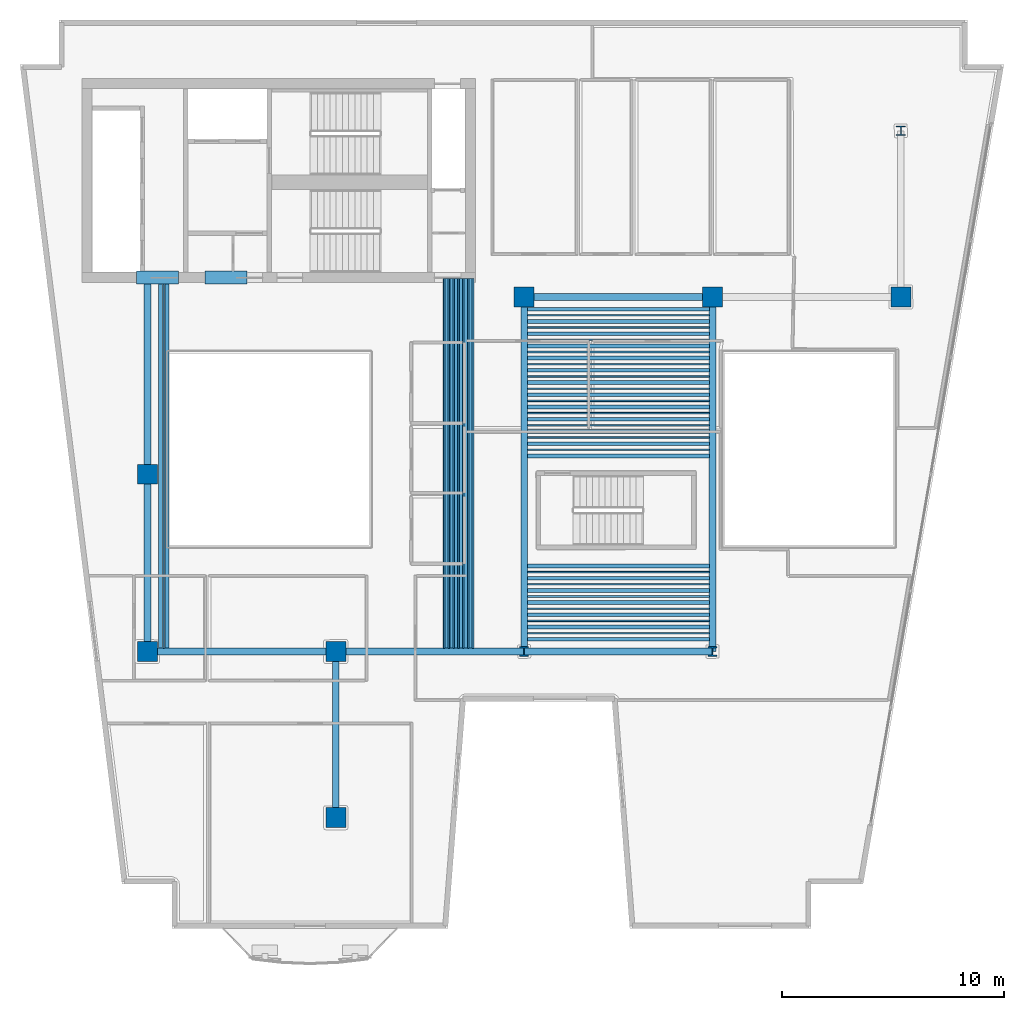
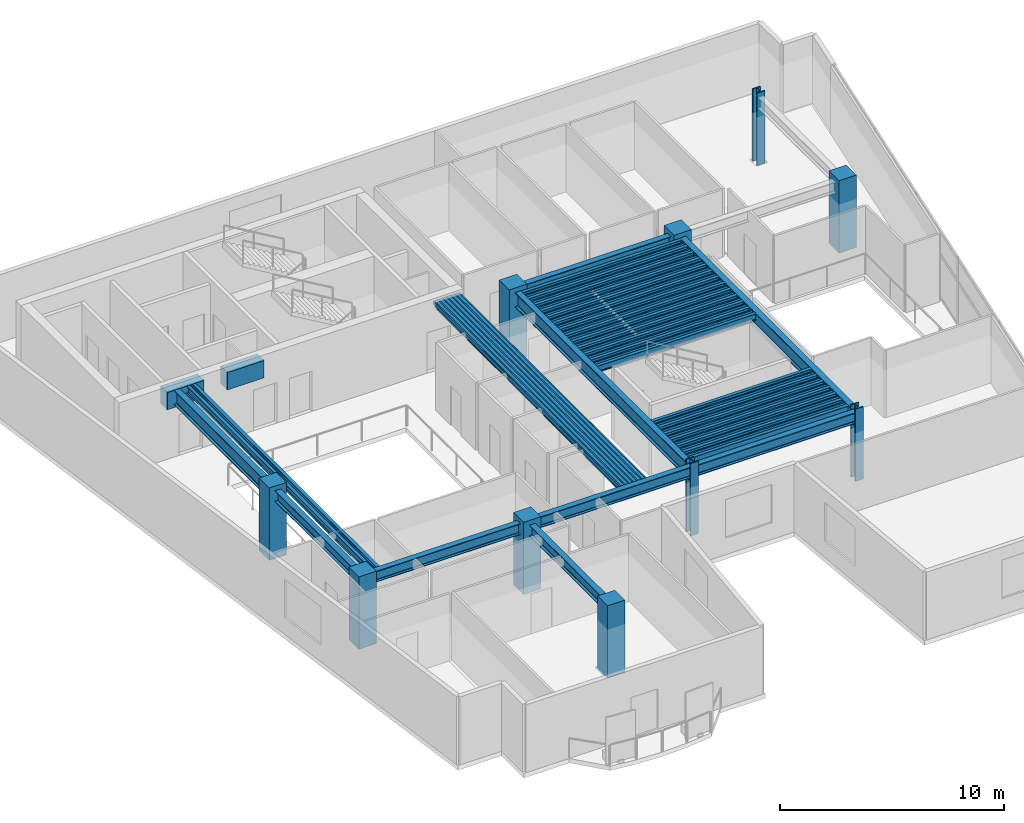
# One storey, part 1 of 9: 65 beams, 10 columns.
"""IFC4 building model written with IfcOpenShell, lengths in metres."""

from ifc_helpers import new_model, si_unit, direction, frame, origin, origin_2d, place, context, subcontext, project, spatial, rectangle, hollow_rectangle, i_section, extrude, material, material_profile, profile_set, type_object, element, save


model = new_model("IFC4")

# Units and contexts
model_context = context("Model", 3, precision=1e-05, world=origin(), true_north=direction((0.0, 1.0)))
body_context = subcontext(model_context, "Body", "Model", "MODEL_VIEW")
ifc_project = project(units=[si_unit("LENGTHUNIT", "METRE"), si_unit("AREAUNIT", "SQUARE_METRE"), si_unit("VOLUMEUNIT", "CUBIC_METRE"), si_unit("PLANEANGLEUNIT", "RADIAN"), si_unit("MASSUNIT", "GRAM", prefix="KILO")], contexts=[model_context])

# Site, building, storey
site_placement = place(None, origin())
site = spatial("IfcSite", under=ifc_project, at=site_placement, CompositionType="ELEMENT")
building_placement = place(site_placement, origin())
building = spatial("IfcBuilding", under=site, at=building_placement, Name="Caeloran Harvest Quay", CompositionType="ELEMENT")
storey_placement = place(building_placement, frame((0.0, 0.0, 207.449951171875)))
storey = spatial("IfcBuildingStorey", under=building, at=storey_placement, Name="L49", CompositionType="ELEMENT", Elevation=207.449951171875)

# Columns
ifc_material_1 = material(Name="Concrete C60/75", Category="concrete")
ifc_material_profile_1 = material_profile(ifc_material_1, rectangle(XDim=0.89990234375, YDim=0.89990234375, at=origin_2d()), Name="RC 900x900")
ifc_profile_set_1 = profile_set([ifc_material_profile_1], Name="Concrete C60/75")
column_type_1 = type_object("IfcColumnType", Name="COL-MC-4-RC_900x900", PredefinedType="COLUMN", material=ifc_profile_set_1)
for number, where, z_axis, x_axis, name in (
    (1, (8.5, 15.0, 0.0), (0.0, 0.0, 1.0), (1.0, 0.0, 0.0), "L49 Structural Column (8.5, 15.0)"),
    (2, (8.5, 23.0, 0.0), (0.0, 0.0, 1.0), (1.0, 0.0, 0.0), "L49 Structural Column (8.5, 23.0)"),
    (3, (17.0, 7.5, 0.0), (0.0, 0.0, 1.0), (1.0, 0.0, 0.0), "L49 Structural Column (17.0, 7.5)"),
    (4, (17.0, 15.0, 0.0), (0.0, 0.0, 1.0), (1.0, 0.0, 0.0), "L49 Structural Column (17.0, 15.0)"),
    (5, (25.5, 31.0, 0.0), (0.0, 0.0, 1.0), (1.0, 0.0, 0.0), "L49 Structural Column (25.5, 31.0)"),
    (6, (34.0, 31.0, 0.0), (0.0, 0.0, 1.0), (1.0, 0.0, 0.0), "L49 Structural Column (34.0, 31.0)"),
    (7, (42.5, 31.0, 0.0), (0.0, 0.0, 1.0), (1.0, 0.0, 0.0), "L49 Structural Column (42.5, 31.0)"),
):
    element("IfcColumn", number, at=place(storey_placement, frame(where, z_axis=z_axis, x_axis=x_axis)), inside=storey, type_object=column_type_1, Name=name, PredefinedType="COLUMN", context=body_context, shape_type="SweptSolid", body=[
        extrude(rectangle(XDim=0.89990234375, YDim=0.89990234375, at=origin_2d()), origin(), (0.0, 0.0, 1.0), 3.949951171875),
    ])
ifc_material_2 = material(Name="Steel HISTAR 460", Category="steel")
ifc_material_profile_2 = material_profile(ifc_material_2, i_section(OverallWidth=0.416015625, OverallDepth=0.446044921875, WebThickness=0.0390625, FlangeThickness=0.062744140625, FilletRadius=0.014892578125, at=origin_2d()), Name="HD 400x509")
ifc_profile_set_2 = profile_set([ifc_material_profile_2], Name="Steel HISTAR 460")
column_type_2 = type_object("IfcColumnType", Name="COL-SC-4-HD_400x509", PredefinedType="COLUMN", material=ifc_profile_set_2)
for number, where, z_axis, x_axis, name in (
    (8, (25.5, 15.0, 0.0), (0.0, 0.0, 1.0), (1.0, 0.0, 0.0), "L49 Structural Column (25.5, 15.0)"),
    (9, (34.0, 15.0, 0.0), (0.0, 0.0, 1.0), (1.0, 0.0, 0.0), "L49 Structural Column (34.0, 15.0)"),
    (10, (42.5, 38.5, 0.0), (0.0, 0.0, 1.0), (1.0, 0.0, 0.0), "L49 Structural Column (42.5, 38.5)"),
):
    element("IfcColumn", number, at=place(storey_placement, frame(where, z_axis=z_axis, x_axis=x_axis)), inside=storey, type_object=column_type_2, Name=name, PredefinedType="COLUMN", context=body_context, shape_type="SweptSolid", body=[
        extrude(i_section(OverallWidth=0.416015625, OverallDepth=0.446044921875, WebThickness=0.0390625, FlangeThickness=0.062744140625, FilletRadius=0.014892578125, at=origin_2d()), origin(), (0.0, 0.0, 1.0), 3.949951171875),
    ])

# Beams
ifc_material_profile_3 = material_profile(ifc_material_1, rectangle(XDim=0.60009765625, YDim=0.949951171875, at=origin_2d()), Name="RC 600x950")
ifc_profile_set_3 = profile_set([ifc_material_profile_3], Name="Concrete C60/75")
beam_type_1 = type_object("IfcBeamType", Name="BM-CB-2-RC_600x950", PredefinedType="LINTEL", material=ifc_profile_set_3)
for number, where, z_axis, x_axis, name in (
    (11, (8.0, 31.875, 3.22509765625), (1.0, 0.0, 0.0), (0.0, 1.0, 0.0), "L49 Core Coupling Beam 1"),
    (12, (11.10009765625, 31.875, 3.22509765625), (1.0, 0.0, 0.0), (0.0, 1.0, 0.0), "L49 Core Coupling Beam 2"),
):
    element("IfcBeam", number, at=place(storey_placement, frame(where, z_axis=z_axis, x_axis=x_axis)), inside=storey, type_object=beam_type_1, Name=name, PredefinedType="LINTEL", context=body_context, shape_type="SweptSolid", body=[
        extrude(rectangle(XDim=0.60009765625, YDim=0.949951171875, at=origin_2d()), origin(), (0.0, 0.0, 1.0), 1.89990234375),
    ])
ifc_material_3 = material(Name="Steel S355J2", Category="steel")
ifc_material_profile_4 = material_profile(ifc_material_3, i_section(OverallWidth=0.300048828125, OverallDepth=0.800048828125, WebThickness=0.017578125, FlangeThickness=0.032958984375, FilletRadius=0.030029296875, at=origin_2d()), Name="HE 800 B")
ifc_profile_set_4 = profile_set([ifc_material_profile_4], Name="Steel S355J2")
beam_type_2 = type_object("IfcBeamType", Name="BM-PG-1-HE_800_B", PredefinedType="BEAM", material=ifc_profile_set_4)
beam_1_placement = place(storey_placement, frame((8.5, 23.0, 3.300048828125), z_axis=(0.0, 1.0, 0.0), x_axis=(-1.0, 0.0, 0.0)))
element("IfcBeam", 13, at=beam_1_placement, inside=storey, type_object=beam_type_2, Name="L49 Core South Tie Girder X=8.5", PredefinedType="BEAM", context=body_context, shape_type="SweptSolid", body=[
    extrude(i_section(OverallWidth=0.300048828125, OverallDepth=0.800048828125, WebThickness=0.017578125, FlangeThickness=0.032958984375, FilletRadius=0.030029296875, at=origin_2d()), origin(), (0.0, 0.0, 1.0), 8.824951171875),
])
for number, where, z_axis, x_axis, name in (
    (14, (25.5, 15.0, 3.300048828125), (0.0, 1.0, 0.0), (-1.0, 0.0, 0.0), "L49 Primary North-South Girder X=25.5"),
    (15, (34.0, 15.0, 3.300048828125), (0.0, 1.0, 0.0), (-1.0, 0.0, 0.0), "L49 Primary North-South Girder X=34.0"),
):
    element("IfcBeam", number, at=place(storey_placement, frame(where, z_axis=z_axis, x_axis=x_axis)), inside=storey, type_object=beam_type_2, Name=name, PredefinedType="BEAM", context=body_context, shape_type="SweptSolid", body=[
        extrude(i_section(OverallWidth=0.300048828125, OverallDepth=0.800048828125, WebThickness=0.017578125, FlangeThickness=0.032958984375, FilletRadius=0.030029296875, at=origin_2d()), origin(), (0.0, 0.0, 1.0), 16.0),
    ])
ifc_material_profile_5 = material_profile(ifc_material_3, i_section(OverallWidth=0.300048828125, OverallDepth=0.60009765625, WebThickness=0.015380859375, FlangeThickness=0.030029296875, FilletRadius=0.027099609375, at=origin_2d()), Name="HE 600 B")
ifc_profile_set_5 = profile_set([ifc_material_profile_5], Name="Steel S355J2")
beam_type_3 = type_object("IfcBeamType", Name="BM-PG-3-HE_600_B", PredefinedType="BEAM", material=ifc_profile_set_5)
for number, where, z_axis, x_axis, name in (
    (16, (8.5, 15.0, 3.400146484375), (1.0, 0.0, 0.0), (0.0, 1.0, 0.0), "L49 Primary East-West Girder Y=15.0"),
    (17, (17.0, 15.0, 3.400146484375), (1.0, 0.0, 0.0), (0.0, 1.0, 0.0), "L49 Primary East-West Girder Y=15.0"),
    (18, (25.5, 15.0, 3.400146484375), (1.0, 0.0, 0.0), (0.0, 1.0, 0.0), "L49 Primary East-West Girder Y=15.0"),
    (19, (25.5, 31.0, 3.400146484375), (1.0, 0.0, 0.0), (0.0, 1.0, 0.0), "L49 Primary East-West Girder Y=31.0"),
):
    element("IfcBeam", number, at=place(storey_placement, frame(where, z_axis=z_axis, x_axis=x_axis)), inside=storey, type_object=beam_type_3, Name=name, PredefinedType="BEAM", context=body_context, shape_type="SweptSolid", body=[
        extrude(i_section(OverallWidth=0.300048828125, OverallDepth=0.60009765625, WebThickness=0.015380859375, FlangeThickness=0.030029296875, FilletRadius=0.027099609375, at=origin_2d()), origin(), (0.0, 0.0, 1.0), 8.5),
    ])
beam_2_placement = place(storey_placement, frame((8.5, 15.0, 3.400146484375), z_axis=(0.0, 1.0, 0.0), x_axis=(-1.0, 0.0, 0.0)))
element("IfcBeam", 20, at=beam_2_placement, inside=storey, type_object=beam_type_3, Name="L49 Primary North-South Girder X=8.5", PredefinedType="BEAM", context=body_context, shape_type="SweptSolid", body=[
    extrude(i_section(OverallWidth=0.300048828125, OverallDepth=0.60009765625, WebThickness=0.015380859375, FlangeThickness=0.030029296875, FilletRadius=0.027099609375, at=origin_2d()), origin(), (0.0, 0.0, 1.0), 8.0),
])
beam_3_placement = place(storey_placement, frame((17.0, 7.5, 3.400146484375), z_axis=(0.0, 1.0, 0.0), x_axis=(-1.0, 0.0, 0.0)))
element("IfcBeam", 21, at=beam_3_placement, inside=storey, type_object=beam_type_3, Name="L49 Primary North-South Girder X=17.0", PredefinedType="BEAM", context=body_context, shape_type="SweptSolid", body=[
    extrude(i_section(OverallWidth=0.300048828125, OverallDepth=0.60009765625, WebThickness=0.015380859375, FlangeThickness=0.030029296875, FilletRadius=0.027099609375, at=origin_2d()), origin(), (0.0, 0.0, 1.0), 7.5),
])
ifc_material_profile_6 = material_profile(ifc_material_3, i_section(OverallWidth=0.169921875, OverallDepth=0.360107421875, WebThickness=0.008056640625, FlangeThickness=0.0126953125, FilletRadius=0.01806640625, at=origin_2d()), Name="IPE 360")
ifc_profile_set_6 = profile_set([ifc_material_profile_6], Name="Steel S355J2")
beam_type_4 = type_object("IfcBeamType", Name="BM-SB-5-IPE_360", PredefinedType="JOIST", material=ifc_profile_set_6)
for number, where, z_axis, x_axis, name in (
    (22, (9.086181640625, 15.14501953125, 3.52001953125), (0.0, 1.0, 0.0), (-1.0, 0.0, 0.0), "L49 Secondary Composite Joist"),
    (23, (9.37939453125, 15.14501953125, 3.52001953125), (0.0, 1.0, 0.0), (-1.0, 0.0, 0.0), "L49 Secondary Composite Joist"),
    (24, (21.99658203125, 15.14501953125, 3.52001953125), (0.0, 1.0, 0.0), (-1.0, 0.0, 0.0), "L49 Secondary Composite Joist"),
    (25, (22.2138671875, 15.14501953125, 3.52001953125), (0.0, 1.0, 0.0), (-1.0, 0.0, 0.0), "L49 Secondary Composite Joist"),
    (26, (22.430908203125, 15.14501953125, 3.52001953125), (0.0, 1.0, 0.0), (-1.0, 0.0, 0.0), "L49 Secondary Composite Joist"),
    (27, (22.648193359375, 15.14501953125, 3.52001953125), (0.0, 1.0, 0.0), (-1.0, 0.0, 0.0), "L49 Secondary Composite Joist"),
    (28, (22.865478515625, 15.14501953125, 3.52001953125), (0.0, 1.0, 0.0), (-1.0, 0.0, 0.0), "L49 Secondary Composite Joist"),
    (29, (23.082763671875, 15.14501953125, 3.52001953125), (0.0, 1.0, 0.0), (-1.0, 0.0, 0.0), "L49 Secondary Composite Joist"),
):
    element("IfcBeam", number, at=place(storey_placement, frame(where, z_axis=z_axis, x_axis=x_axis)), inside=storey, type_object=beam_type_4, Name=name, PredefinedType="JOIST", context=body_context, shape_type="SweptSolid", body=[
        extrude(i_section(OverallWidth=0.169921875, OverallDepth=0.360107421875, WebThickness=0.008056640625, FlangeThickness=0.0126953125, FilletRadius=0.01806640625, at=origin_2d()), origin(), (0.0, 0.0, 1.0), 16.679931640625),
    ])
for number, where, z_axis, x_axis, name in (
    (30, (25.64501953125, 15.5517578125, 3.52001953125), (1.0, 0.0, 0.0), (0.0, 1.0, 0.0), "L49 Secondary East-West Composite Joist"),
    (31, (25.64501953125, 16.103515625, 3.52001953125), (1.0, 0.0, 0.0), (0.0, 1.0, 0.0), "L49 Secondary East-West Composite Joist"),
    (32, (25.64501953125, 16.6552734375, 3.52001953125), (1.0, 0.0, 0.0), (0.0, 1.0, 0.0), "L49 Secondary East-West Composite Joist"),
    (33, (25.64501953125, 17.206787109375, 3.52001953125), (1.0, 0.0, 0.0), (0.0, 1.0, 0.0), "L49 Secondary East-West Composite Joist"),
    (34, (25.64501953125, 17.758544921875, 3.52001953125), (1.0, 0.0, 0.0), (0.0, 1.0, 0.0), "L49 Secondary East-West Composite Joist"),
    (35, (25.64501953125, 18.310302734375, 3.52001953125), (1.0, 0.0, 0.0), (0.0, 1.0, 0.0), "L49 Secondary East-West Composite Joist"),
    (36, (25.64501953125, 18.862060546875, 3.52001953125), (1.0, 0.0, 0.0), (0.0, 1.0, 0.0), "L49 Secondary East-West Composite Joist"),
    (37, (25.64501953125, 23.82763671875, 3.52001953125), (1.0, 0.0, 0.0), (0.0, 1.0, 0.0), "L49 Secondary East-West Composite Joist"),
    (38, (25.64501953125, 24.37939453125, 3.52001953125), (1.0, 0.0, 0.0), (0.0, 1.0, 0.0), "L49 Secondary East-West Composite Joist"),
    (39, (25.64501953125, 24.930908203125, 3.52001953125), (1.0, 0.0, 0.0), (0.0, 1.0, 0.0), "L49 Secondary East-West Composite Joist"),
    (40, (25.64501953125, 25.48291015625, 3.52001953125), (1.0, 0.0, 0.0), (0.0, 1.0, 0.0), "L49 Secondary East-West Composite Joist"),
    (41, (25.64501953125, 26.034423828125, 3.52001953125), (1.0, 0.0, 0.0), (0.0, 1.0, 0.0), "L49 Secondary East-West Composite Joist"),
    (42, (25.64501953125, 26.586181640625, 3.52001953125), (1.0, 0.0, 0.0), (0.0, 1.0, 0.0), "L49 Secondary East-West Composite Joist"),
    (43, (25.64501953125, 27.137939453125, 3.52001953125), (1.0, 0.0, 0.0), (0.0, 1.0, 0.0), "L49 Secondary East-West Composite Joist"),
    (44, (25.64501953125, 27.689697265625, 3.52001953125), (1.0, 0.0, 0.0), (0.0, 1.0, 0.0), "L49 Secondary East-West Composite Joist"),
    (45, (25.64501953125, 28.241455078125, 3.52001953125), (1.0, 0.0, 0.0), (0.0, 1.0, 0.0), "L49 Secondary East-West Composite Joist"),
    (46, (25.64501953125, 28.793212890625, 3.52001953125), (1.0, 0.0, 0.0), (0.0, 1.0, 0.0), "L49 Secondary East-West Composite Joist"),
    (47, (25.64501953125, 29.3447265625, 3.52001953125), (1.0, 0.0, 0.0), (0.0, 1.0, 0.0), "L49 Secondary East-West Composite Joist"),
    (48, (25.64501953125, 29.896484375, 3.52001953125), (1.0, 0.0, 0.0), (0.0, 1.0, 0.0), "L49 Secondary East-West Composite Joist"),
    (49, (25.64501953125, 30.4482421875, 3.52001953125), (1.0, 0.0, 0.0), (0.0, 1.0, 0.0), "L49 Secondary East-West Composite Joist"),
):
    element("IfcBeam", number, at=place(storey_placement, frame(where, z_axis=z_axis, x_axis=x_axis)), inside=storey, type_object=beam_type_4, Name=name, PredefinedType="JOIST", context=body_context, shape_type="SweptSolid", body=[
        extrude(i_section(OverallWidth=0.169921875, OverallDepth=0.360107421875, WebThickness=0.008056640625, FlangeThickness=0.0126953125, FilletRadius=0.01806640625, at=origin_2d()), origin(), (0.0, 0.0, 1.0), 8.2099609375),
    ])
ifc_material_profile_7 = material_profile(ifc_material_3, hollow_rectangle(XDim=0.080078125, YDim=0.199951171875, WallThickness=0.006103515625, InnerFilletRadius=0.006103515625, OuterFilletRadius=0.009033203125, at=origin_2d()), Name="RHS 200x80x6")
ifc_profile_set_7 = profile_set([ifc_material_profile_7], Name="Steel S355J2")
beam_type_5 = type_object("IfcBeamType", Name="BM-SB-7-RHS_200x80x6", PredefinedType="JOIST", material=ifc_profile_set_7)
for number, where, z_axis, x_axis, name in (
    (50, (9.23291015625, 15.14501953125, 3.60009765625), (0.0, 1.0, 0.0), (-1.0, 0.0, 0.0), "L49 Secondary Composite Joist"),
    (51, (21.887939453125, 15.14501953125, 3.60009765625), (0.0, 1.0, 0.0), (-1.0, 0.0, 0.0), "L49 Secondary Composite Joist"),
    (52, (22.105224609375, 15.14501953125, 3.60009765625), (0.0, 1.0, 0.0), (-1.0, 0.0, 0.0), "L49 Secondary Composite Joist"),
    (53, (22.322509765625, 15.14501953125, 3.60009765625), (0.0, 1.0, 0.0), (-1.0, 0.0, 0.0), "L49 Secondary Composite Joist"),
    (54, (22.539794921875, 15.14501953125, 3.60009765625), (0.0, 1.0, 0.0), (-1.0, 0.0, 0.0), "L49 Secondary Composite Joist"),
    (55, (22.7568359375, 15.14501953125, 3.60009765625), (0.0, 1.0, 0.0), (-1.0, 0.0, 0.0), "L49 Secondary Composite Joist"),
    (56, (22.97412109375, 15.14501953125, 3.60009765625), (0.0, 1.0, 0.0), (-1.0, 0.0, 0.0), "L49 Secondary Composite Joist"),
    (57, (23.19140625, 15.14501953125, 3.60009765625), (0.0, 1.0, 0.0), (-1.0, 0.0, 0.0), "L49 Secondary Composite Joist"),
):
    element("IfcBeam", number, at=place(storey_placement, frame(where, z_axis=z_axis, x_axis=x_axis)), inside=storey, type_object=beam_type_5, Name=name, PredefinedType="JOIST", context=body_context, shape_type="SweptSolid", body=[
        extrude(hollow_rectangle(XDim=0.080078125, YDim=0.199951171875, WallThickness=0.006103515625, InnerFilletRadius=0.006103515625, OuterFilletRadius=0.009033203125, at=origin_2d()), origin(), (0.0, 0.0, 1.0), 16.679931640625),
    ])
for number, where, z_axis, x_axis, name in (
    (58, (25.64501953125, 15.82763671875, 3.60009765625), (1.0, 0.0, 0.0), (0.0, 1.0, 0.0), "L49 Secondary East-West Composite Joist"),
    (59, (25.64501953125, 16.37939453125, 3.60009765625), (1.0, 0.0, 0.0), (0.0, 1.0, 0.0), "L49 Secondary East-West Composite Joist"),
    (60, (25.64501953125, 16.930908203125, 3.60009765625), (1.0, 0.0, 0.0), (0.0, 1.0, 0.0), "L49 Secondary East-West Composite Joist"),
    (61, (25.64501953125, 17.48291015625, 3.60009765625), (1.0, 0.0, 0.0), (0.0, 1.0, 0.0), "L49 Secondary East-West Composite Joist"),
    (62, (25.64501953125, 18.034423828125, 3.60009765625), (1.0, 0.0, 0.0), (0.0, 1.0, 0.0), "L49 Secondary East-West Composite Joist"),
    (63, (25.64501953125, 18.586181640625, 3.60009765625), (1.0, 0.0, 0.0), (0.0, 1.0, 0.0), "L49 Secondary East-West Composite Joist"),
    (64, (25.64501953125, 24.103515625, 3.60009765625), (1.0, 0.0, 0.0), (0.0, 1.0, 0.0), "L49 Secondary East-West Composite Joist"),
    (65, (25.64501953125, 24.6552734375, 3.60009765625), (1.0, 0.0, 0.0), (0.0, 1.0, 0.0), "L49 Secondary East-West Composite Joist"),
    (66, (25.64501953125, 25.206787109375, 3.60009765625), (1.0, 0.0, 0.0), (0.0, 1.0, 0.0), "L49 Secondary East-West Composite Joist"),
    (67, (25.64501953125, 25.758544921875, 3.60009765625), (1.0, 0.0, 0.0), (0.0, 1.0, 0.0), "L49 Secondary East-West Composite Joist"),
    (68, (25.64501953125, 26.310302734375, 3.60009765625), (1.0, 0.0, 0.0), (0.0, 1.0, 0.0), "L49 Secondary East-West Composite Joist"),
    (69, (25.64501953125, 26.862060546875, 3.60009765625), (1.0, 0.0, 0.0), (0.0, 1.0, 0.0), "L49 Secondary East-West Composite Joist"),
    (70, (25.64501953125, 27.413818359375, 3.60009765625), (1.0, 0.0, 0.0), (0.0, 1.0, 0.0), "L49 Secondary East-West Composite Joist"),
    (71, (25.64501953125, 27.965576171875, 3.60009765625), (1.0, 0.0, 0.0), (0.0, 1.0, 0.0), "L49 Secondary East-West Composite Joist"),
    (72, (25.64501953125, 28.51708984375, 3.60009765625), (1.0, 0.0, 0.0), (0.0, 1.0, 0.0), "L49 Secondary East-West Composite Joist"),
    (73, (25.64501953125, 29.069091796875, 3.60009765625), (1.0, 0.0, 0.0), (0.0, 1.0, 0.0), "L49 Secondary East-West Composite Joist"),
    (74, (25.64501953125, 29.62060546875, 3.60009765625), (1.0, 0.0, 0.0), (0.0, 1.0, 0.0), "L49 Secondary East-West Composite Joist"),
    (75, (25.64501953125, 30.17236328125, 3.60009765625), (1.0, 0.0, 0.0), (0.0, 1.0, 0.0), "L49 Secondary East-West Composite Joist"),
):
    element("IfcBeam", number, at=place(storey_placement, frame(where, z_axis=z_axis, x_axis=x_axis)), inside=storey, type_object=beam_type_5, Name=name, PredefinedType="JOIST", context=body_context, shape_type="SweptSolid", body=[
        extrude(hollow_rectangle(XDim=0.080078125, YDim=0.199951171875, WallThickness=0.006103515625, InnerFilletRadius=0.006103515625, OuterFilletRadius=0.009033203125, at=origin_2d()), origin(), (0.0, 0.0, 1.0), 8.2099609375),
    ])

save(model, "model.ifc")
